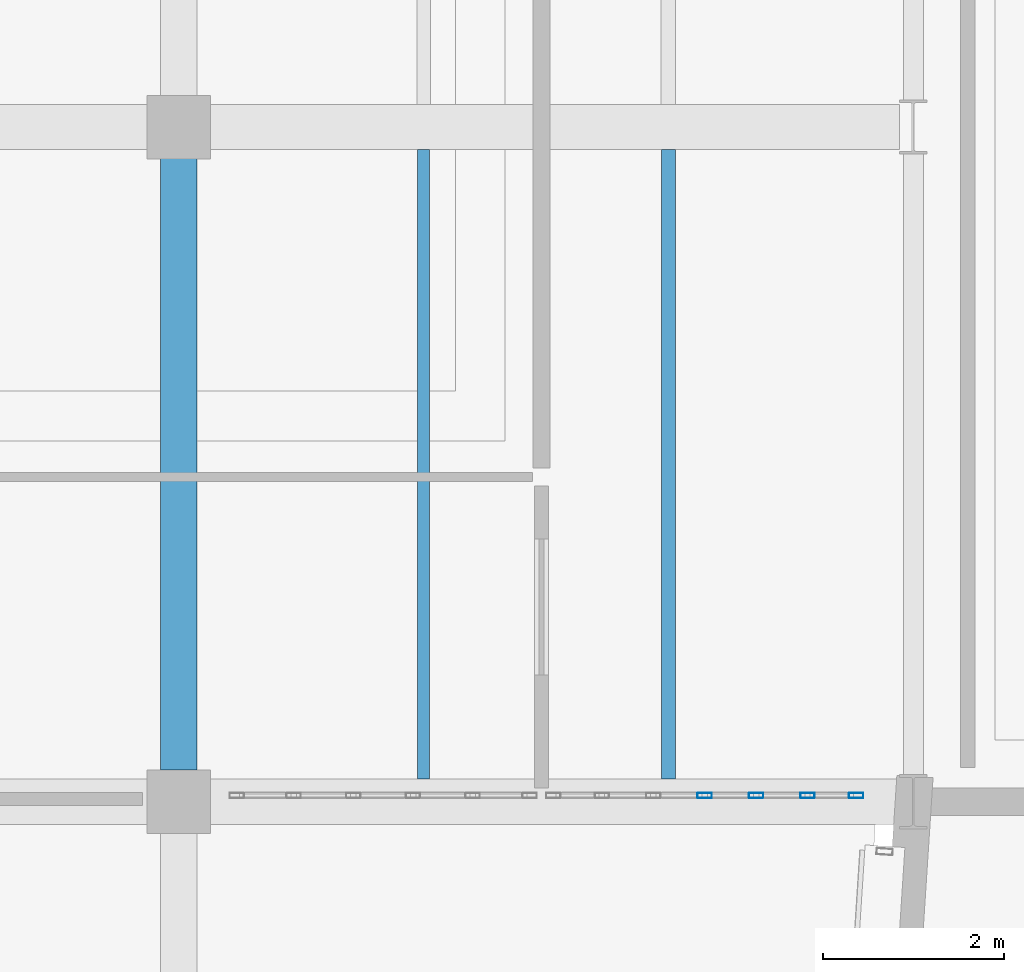
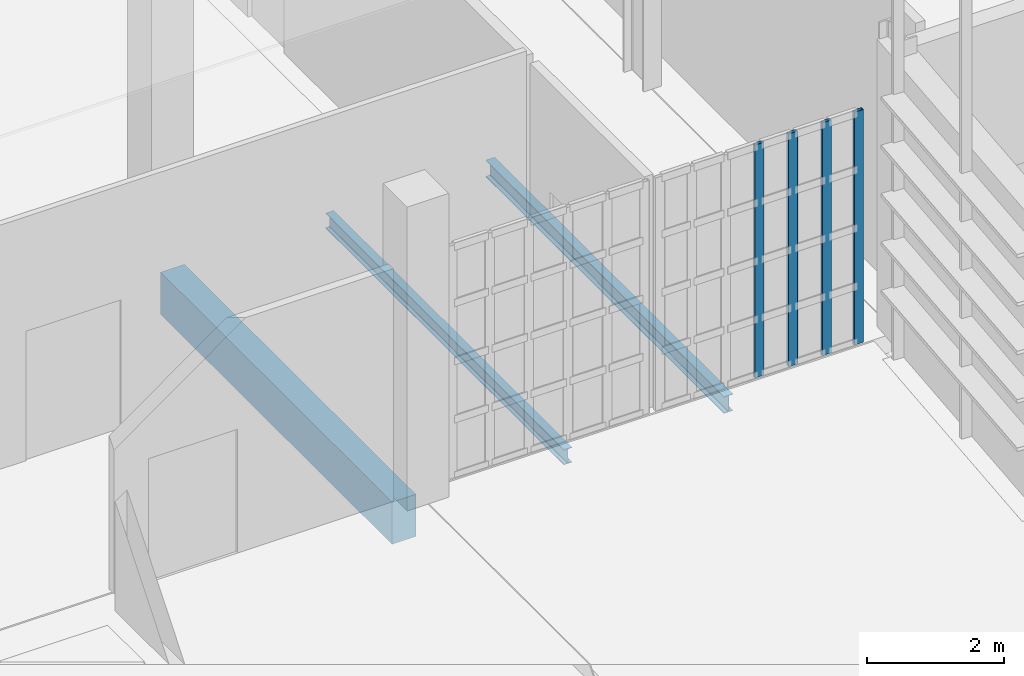
# One storey, part 99 of 372: 4 members, 3 beams, 1 element without a shape of its own.
"""IFC4 building model written with IfcOpenShell, lengths in metres."""

from ifc_helpers import new_model, si_unit, direction, frame, origin, origin_2d, place, context, subcontext, project, spatial, rectangle, hollow_rectangle, i_section, extrude, material, material_profile, profile_set, type_object, element, aggregate, save


model = new_model("IFC4")

# Units and contexts
model_context = context("Model", 3, precision=1e-05, world=origin(), true_north=direction((0.0, 1.0)))
body_context = subcontext(model_context, "Body", "Model", "MODEL_VIEW")
ifc_project = project(units=[si_unit("LENGTHUNIT", "METRE"), si_unit("AREAUNIT", "SQUARE_METRE"), si_unit("VOLUMEUNIT", "CUBIC_METRE"), si_unit("PLANEANGLEUNIT", "RADIAN"), si_unit("MASSUNIT", "GRAM", prefix="KILO")], contexts=[model_context])

# Site, building, storey
site_placement = place(None, origin())
site = spatial("IfcSite", under=ifc_project, at=site_placement, CompositionType="ELEMENT")
building_placement = place(site_placement, origin())
building = spatial("IfcBuilding", under=site, at=building_placement, Name="Kaelora Sail Theatre", CompositionType="ELEMENT")
storey_placement = place(building_placement, origin())
storey = spatial("IfcBuildingStorey", under=building, at=storey_placement, Name="L00", CompositionType="ELEMENT", Elevation=0.0)

# Curtain wall, members
ifc_material_1 = material(Name="Anodised aluminium and solar-control low-E IGU", Category="aluminium")
curtain_wall_type = type_object("IfcCurtainWallType", Name="ARC-CW-CW-FOY1", PredefinedType="NOTDEFINED", material=ifc_material_1)
curtain_wall_placement = place(storey_placement, origin())
curtain_wall = element("IfcCurtainWall", 1, at=curtain_wall_placement, inside=storey, type_object=curtain_wall_type, Name="Glazed Foyer/Conservatory Curtain Wall FW1-S-L00-02", PredefinedType="NOTDEFINED")
ifc_material_2 = material(Name="Anodised aluminium 6063-T6", Category="aluminium")
ifc_material_profile_1 = material_profile(ifc_material_2, hollow_rectangle(XDim=0.06005859375, YDim=0.159912109375, WallThickness=0.00390625, InnerFilletRadius=0.00390625, OuterFilletRadius=0.008056640625, at=origin_2d()), Name="ALU-MULL 60x160x4")
ifc_profile_set_1 = profile_set([ifc_material_profile_1], Name="Anodised aluminium 6063-T6")
member_type = type_object("IfcMemberType", Name="ARC-MEM-ML-160", PredefinedType="MULLION", material=ifc_profile_set_1)
member_1_placement = place(storey_placement, frame((23.5, 61.090087890625, 0.0), z_axis=(0.0, 0.0, 1.0), x_axis=(0.0, 1.0, 0.0)))
member_1 = element("IfcMember", 2, at=member_1_placement, type_object=member_type, Name="CW-FOY1 mullion 4", PredefinedType="MULLION", context=body_context, shape_type="SweptSolid", body=[
    extrude(hollow_rectangle(XDim=0.06005859375, YDim=0.159912109375, WallThickness=0.00390625, InnerFilletRadius=0.00390625, OuterFilletRadius=0.008056640625, at=origin_2d()), origin(), (0.0, 0.0, 1.0), 4.136962890625),
])
member_2_placement = place(storey_placement, frame((24.066650390625, 61.090087890625, 0.0), z_axis=(0.0, 0.0, 1.0), x_axis=(0.0, 1.0, 0.0)))
member_2 = element("IfcMember", 3, at=member_2_placement, type_object=member_type, Name="CW-FOY1 mullion 5", PredefinedType="MULLION", context=body_context, shape_type="SweptSolid", body=[
    extrude(hollow_rectangle(XDim=0.06005859375, YDim=0.159912109375, WallThickness=0.00390625, InnerFilletRadius=0.00390625, OuterFilletRadius=0.008056640625, at=origin_2d()), origin(), (0.0, 0.0, 1.0), 4.136962890625),
])
member_3_placement = place(storey_placement, frame((24.63330078125, 61.090087890625, 0.0), z_axis=(0.0, 0.0, 1.0), x_axis=(0.0, 1.0, 0.0)))
member_3 = element("IfcMember", 4, at=member_3_placement, type_object=member_type, Name="CW-FOY1 mullion 6", PredefinedType="MULLION", context=body_context, shape_type="SweptSolid", body=[
    extrude(hollow_rectangle(XDim=0.06005859375, YDim=0.159912109375, WallThickness=0.00390625, InnerFilletRadius=0.00390625, OuterFilletRadius=0.008056640625, at=origin_2d()), origin(), (0.0, 0.0, 1.0), 4.136962890625),
])
member_4_placement = place(storey_placement, frame((25.169921875, 61.090087890625, 0.0), z_axis=(0.0, 0.0, 1.0), x_axis=(0.0, 1.0, 0.0)))
member_4 = element("IfcMember", 5, at=member_4_placement, type_object=member_type, Name="CW-FOY1 mullion 7", PredefinedType="MULLION", context=body_context, shape_type="SweptSolid", body=[
    extrude(hollow_rectangle(XDim=0.06005859375, YDim=0.159912109375, WallThickness=0.00390625, InnerFilletRadius=0.00390625, OuterFilletRadius=0.008056640625, at=origin_2d()), origin(), (0.0, 0.0, 1.0), 4.136962890625),
])
aggregate(curtain_wall, [member_1, member_2, member_3, member_4])

# Beams
ifc_material_3 = material(Name="Concrete C40/50", Category="concrete")
ifc_material_profile_2 = material_profile(ifc_material_3, rectangle(XDim=0.39990234375, YDim=0.75, at=origin_2d()), Name="RC-BM 400x750")
ifc_profile_set_2 = profile_set([ifc_material_profile_2], Name="Concrete C40/50")
beam_type_1 = type_object("IfcBeamType", Name="STR-BM-BM-RC4075", PredefinedType="BEAM", material=ifc_profile_set_2)
beam_1_placement = place(storey_placement, frame((17.699951171875, 61.3701171875, -0.695068359375), z_axis=(0.0, 1.0, 0.0), x_axis=(-1.0, 0.0, 0.0)))
element("IfcBeam", 6, at=beam_1_placement, inside=storey, type_object=beam_type_1, Name="Primary beam 3 I-J (L00)", PredefinedType="BEAM", context=body_context, shape_type="SweptSolid", body=[
    extrude(rectangle(XDim=0.39990234375, YDim=0.75, at=origin_2d()), origin(), (0.0, 0.0, 1.0), 6.739990234375),
])
ifc_material_4 = material(Name="Steel S355", Category="steel")
ifc_material_profile_3 = material_profile(ifc_material_4, i_section(OverallWidth=0.135009765625, OverallDepth=0.27001953125, WebThickness=0.006591796875, FlangeThickness=0.01025390625, FilletRadius=0.014892578125, at=origin_2d()), Name="IPE 270")
ifc_profile_set_3 = profile_set([ifc_material_profile_3], Name="Steel S355")
beam_type_2 = type_object("IfcBeamType", Name="STR-BM-JS-IPE270", PredefinedType="JOIST", material=ifc_profile_set_3)
beam_2_placement = place(storey_placement, frame((20.39990234375, 61.27001953125, -0.455078125), z_axis=(0.0, 1.0, 0.0), x_axis=(-1.0, 0.0, 0.0)))
element("IfcBeam", 7, at=beam_2_placement, inside=storey, type_object=beam_type_2, Name="Secondary floor joist 3/I-1 (L00)", PredefinedType="JOIST", context=body_context, shape_type="SweptSolid", body=[
    extrude(i_section(OverallWidth=0.135009765625, OverallDepth=0.27001953125, WebThickness=0.006591796875, FlangeThickness=0.01025390625, FilletRadius=0.014892578125, at=origin_2d()), origin(), (0.0, 0.0, 1.0), 6.93994140625),
])
ifc_material_5 = material(Name="Steel S355", Category="steel")
ifc_material_profile_4 = material_profile(ifc_material_5, i_section(OverallWidth=0.14990234375, OverallDepth=0.300048828125, WebThickness=0.007080078125, FlangeThickness=0.0107421875, FilletRadius=0.014892578125, at=origin_2d()), Name="IPE 300")
ifc_profile_set_4 = profile_set([ifc_material_profile_4], Name="Steel S355")
beam_type_3 = type_object("IfcBeamType", Name="STR-BM-JS-IPE300", PredefinedType="JOIST", material=ifc_profile_set_4)
beam_3_placement = place(storey_placement, frame((23.10009765625, 61.27001953125, -0.469970703125), z_axis=(0.0, 1.0, 0.0), x_axis=(-1.0, 0.0, 0.0)))
element("IfcBeam", 8, at=beam_3_placement, inside=storey, type_object=beam_type_3, Name="Secondary floor joist 3/I-2 (L00)", PredefinedType="JOIST", context=body_context, shape_type="SweptSolid", body=[
    extrude(i_section(OverallWidth=0.14990234375, OverallDepth=0.300048828125, WebThickness=0.007080078125, FlangeThickness=0.0107421875, FilletRadius=0.014892578125, at=origin_2d()), origin(), (0.0, 0.0, 1.0), 6.93994140625),
])

save(model, "model.ifc")
